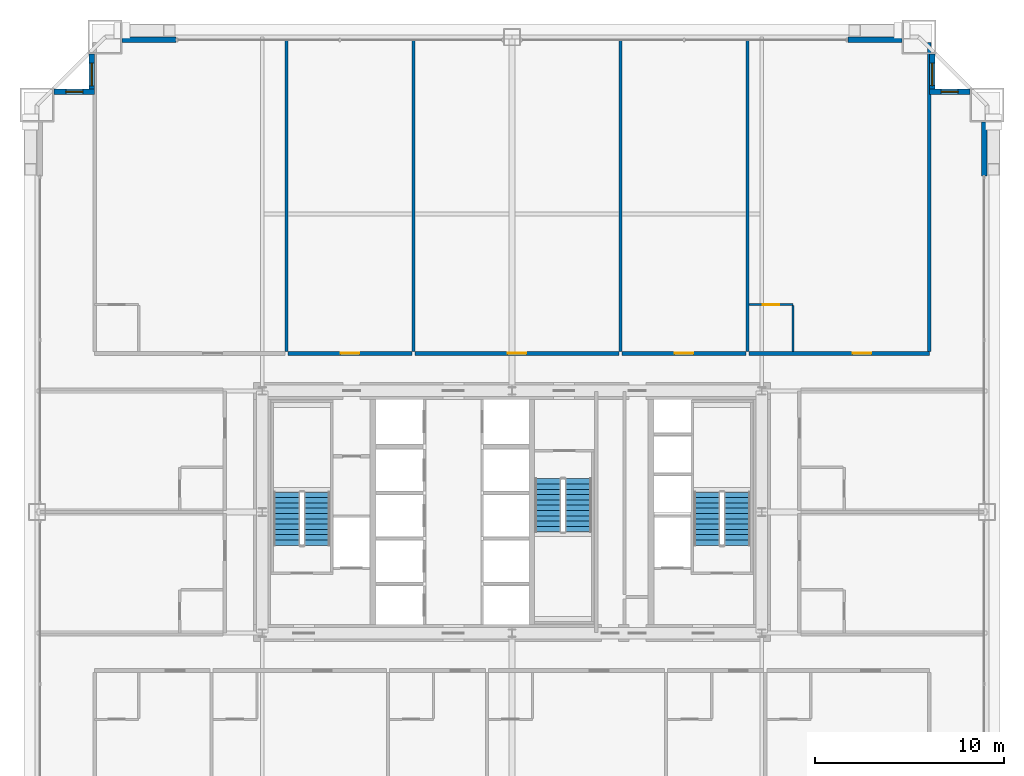
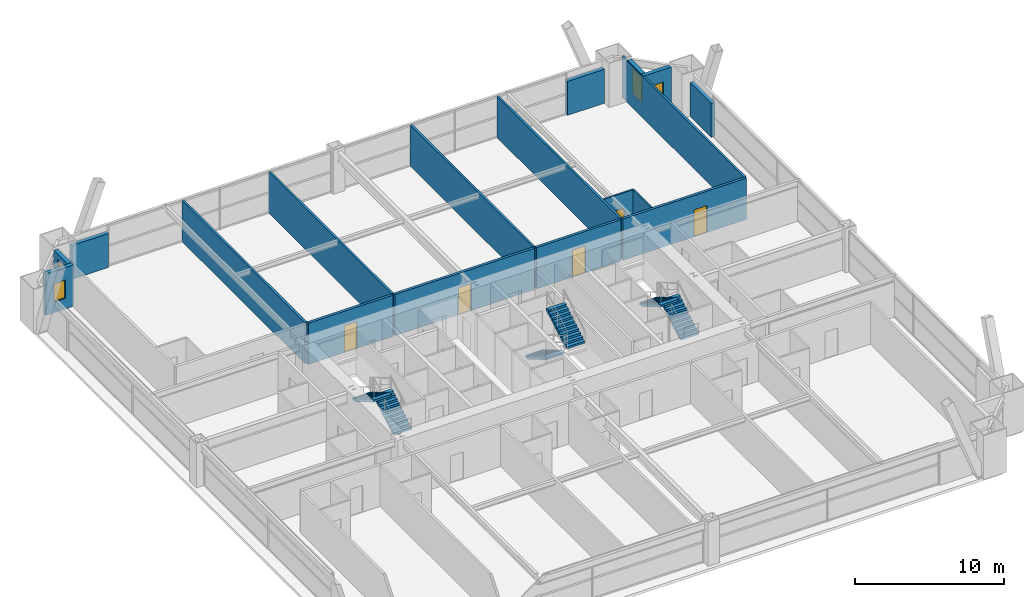
# One storey, part 42 of 43: 18 walls, 6 stair flights, 5 doors, 4 windows, 9 openings, 3 elements without a shape of their own.
"""IFC4 building model written with IfcOpenShell, lengths in metres."""

from ifc_helpers import new_model, si_unit, direction, frame, frame_2d, origin, place, context, subcontext, project, spatial, polyline, rectangle, outline, extrude, source, transform, mapped, material, layer, layer_set, type_object, element, fill, aggregate, save


model = new_model("IFC4")

# Units and contexts
model_context = context("Model", 3, precision=1e-05, world=origin(), true_north=direction((0.0, 1.0)))
body_context = subcontext(model_context, "Body", "Model", "MODEL_VIEW")
ifc_project = project(units=[si_unit("LENGTHUNIT", "METRE"), si_unit("AREAUNIT", "SQUARE_METRE"), si_unit("VOLUMEUNIT", "CUBIC_METRE"), si_unit("PLANEANGLEUNIT", "RADIAN"), si_unit("MASSUNIT", "GRAM", prefix="KILO"), si_unit("THERMODYNAMICTEMPERATUREUNIT", "KELVIN"), si_unit("POWERUNIT", "WATT")], contexts=[model_context])

# Site, building, storey
site_placement = place(None, origin())
site = spatial("IfcSite", under=ifc_project, at=site_placement, CompositionType="ELEMENT")
building_placement = place(site_placement, origin())
building = spatial("IfcBuilding", under=site, at=building_placement, Name="Yuzanri Waterfront Tower", CompositionType="ELEMENT")
storey_placement = place(building_placement, frame((0.0, 0.0, 60.39990234375)))
storey = spatial("IfcBuildingStorey", under=building, at=storey_placement, Name="L15", CompositionType="ELEMENT", Elevation=60.39990234375)

# Wall, opening, door
ifc_material_1 = material(Name="Moisture-Resistant Gypsum Stud Wall", Category="gypsum")
ifc_layer_1 = layer(ifc_material_1, 0.1201171875)
ifc_layer_set_1 = layer_set([ifc_layer_1], Name="Moisture-Resistant Gypsum Stud Wall")
wall_type_1 = type_object("IfcWallType", Name="Bathroom and Kitchen Wet Partition 120", PredefinedType="PARTITIONING", material=ifc_layer_set_1)
wall_1_placement = place(storey_placement, frame((49.52197265625, 36.760009765625, 0.0), z_axis=(0.0, 0.0, 1.0), x_axis=(1.0, 0.0, 0.0)))
wall_1 = element("IfcWall", 1, at=wall_1_placement, inside=storey, type_object=wall_type_1, Name="L15 Partition UW-L15-N5-BN", PredefinedType="PARTITIONING", context=body_context, shape_type="SweptSolid", body=[
    extrude(rectangle(XDim=2.330078125, YDim=0.1201171875, at=frame_2d((1.1650390625, 0.0))), origin(), (0.0, 0.0, 1.0), 3.380126953125),
])
opening_1_placement = place(wall_1_placement, frame((0.739990234375, 0.0, 0.0)))
opening_1 = element("IfcOpeningElement", 2, at=opening_1_placement, cuts=wall_1, Name="Opening ID-0850", PredefinedType="OPENING", context=body_context, shape_type="SweptSolid", body=[
    extrude(rectangle(XDim=0.85009765625, YDim=2.10009765625, at=frame_2d((0.425048828125, 1.050048828125))), frame((0.0, 0.074951171875, 0.0), z_axis=(0.0, -1.0, 0.0), x_axis=(1.0, 0.0, 0.0)), (0.0, 0.0, 1.0), 0.14990234375),
])
ifc_material_2 = material(Name="Moisture-Resistant Lacquered Timber", Category="wood")
door_type_1 = type_object("IfcDoorType", Name="En-Suite Bathroom and Kitchen Swing Door 850x2100", OperationType="NOTDEFINED", PredefinedType="DOOR", material=ifc_material_2)
shared_shape_1 = source(origin(), body_context, "Body", "SweptSolid", [
    extrude(rectangle(XDim=0.85009765625, YDim=2.10009765625, at=frame_2d((0.425048828125, 1.050048828125))), frame((0.0, 0.02490234375, 0.0), z_axis=(0.0, -1.0, 0.0), x_axis=(1.0, 0.0, 0.0)), (0.0, 0.0, 1.0), 0.050048828125),
])
door_1_placement = place(opening_1_placement, origin())
door_1 = element("IfcDoor", 3, at=door_1_placement, inside=storey, type_object=door_type_1, Name="L15 Guest En-Suite Door", OperationType="SINGLE_SWING_LEFT", OverallHeight=2.10009765625, OverallWidth=0.85009765625, PredefinedType="DOOR", context=body_context, shape_type="MappedRepresentation", body=[
    mapped(shared_shape_1, transform((0.0, 0.0, 0.0), scale=1.0)),
])
fill(opening_1, door_1)

# Wall, opening, window
ifc_material_3 = material(Name="Honed Chongqing Dark Basalt Stone", Category="masonry")
ifc_layer_2 = layer(ifc_material_3, 0.300048828125)
ifc_layer_set_2 = layer_set([ifc_layer_2], Name="Honed Chongqing Dark Basalt Stone")
wall_type_2 = type_object("IfcWallType", Name="Bronze Rainscreen Insulated Spandrel Portal Wall 300", PredefinedType="SOLIDWALL", material=ifc_layer_set_2)
wall_2_placement = place(storey_placement, frame((14.949951171875, 48.0, 0.0), z_axis=(0.0, 0.0, 1.0), x_axis=(-1.0, 0.0, 0.0)))
wall_2 = element("IfcWall", 4, at=wall_2_placement, inside=storey, type_object=wall_type_2, Name="L15 Notched Corner Masonry Wall NW-X", PredefinedType="SOLIDWALL", context=body_context, shape_type="SweptSolid", body=[
    extrude(rectangle(XDim=2.14990234375, YDim=0.300048828125, at=frame_2d((1.074951171875, 0.0))), origin(), (0.0, 0.0, 1.0), 3.380126953125),
])
opening_2_placement = place(wall_2_placement, frame((0.625, 0.0, 0.85009765625)))
opening_2 = element("IfcOpeningElement", 5, at=opening_2_placement, cuts=wall_2, Name="Opening WN-05", PredefinedType="OPENING", context=body_context, shape_type="SweptSolid", body=[
    extrude(rectangle(XDim=0.89990234375, YDim=1.5, at=frame_2d((0.449951171875, 0.75))), frame((0.0, 0.1650390625, 0.0), z_axis=(0.0, -1.0, 0.0), x_axis=(1.0, 0.0, 0.0)), (0.0, 0.0, 1.0), 0.329833984375),
])
ifc_material_4 = material(Name="Double-Silver Low-E Insulated Glass", Category="glass")
window_type_1 = type_object("IfcWindowType", Name="Anodized Bronze Service and Stairwell Smoke-Vent Window 900x1500", PartitioningType="SINGLE_PANEL", PredefinedType="WINDOW", material=ifc_material_4)
shared_shape_2 = source(origin(), body_context, "Body", "SweptSolid", [
    extrude(rectangle(XDim=0.89990234375, YDim=1.5, at=frame_2d((0.449951171875, 0.75))), frame((0.0, 0.030029296875, 0.0), z_axis=(0.0, -1.0, 0.0), x_axis=(1.0, 0.0, 0.0)), (0.0, 0.0, 1.0), 0.06005859375),
])
window_1_placement = place(opening_2_placement, origin())
window_1 = element("IfcWindow", 6, at=window_1_placement, inside=storey, type_object=window_type_1, Name="L15 Notched Corner Window NW-X", OverallHeight=1.5, OverallWidth=0.89990234375, PartitioningType="SINGLE_PANEL", PredefinedType="WINDOW", context=body_context, shape_type="MappedRepresentation", body=[
    mapped(shared_shape_2, transform((0.0, 0.0, 0.0), scale=1.0)),
])
fill(opening_2, window_1)

wall_3_placement = place(storey_placement, frame((14.800048828125, 50.0, 0.0), z_axis=(0.0, 0.0, 1.0), x_axis=(0.0, -1.0, 0.0)))
wall_3 = element("IfcWall", 7, at=wall_3_placement, inside=storey, type_object=wall_type_2, Name="L15 Notched Corner Masonry Wall NW-Y", PredefinedType="SOLIDWALL", context=body_context, shape_type="SweptSolid", body=[
    extrude(rectangle(XDim=2.14990234375, YDim=0.300048828125, at=frame_2d((1.074951171875, 0.0))), origin(), (0.0, 0.0, 1.0), 3.380126953125),
])
opening_3_placement = place(wall_3_placement, frame((0.47509765625, 0.0, 0.85009765625)))
opening_3 = element("IfcOpeningElement", 8, at=opening_3_placement, cuts=wall_3, Name="Opening WN-02", PredefinedType="OPENING", context=body_context, shape_type="SweptSolid", body=[
    extrude(rectangle(XDim=1.199951171875, YDim=2.10009765625, at=frame_2d((0.60009765625, 1.050048828125))), frame((0.0, 0.1650390625, 0.0), z_axis=(0.0, -1.0, 0.0), x_axis=(1.0, 0.0, 0.0)), (0.0, 0.0, 1.0), 0.329833984375),
])
ifc_material_5 = material(Name="Double-Silver Low-E Insulated Glass", Category="glass")
window_type_2 = type_object("IfcWindowType", Name="Anodized Bronze Notched Corner Deep-Set Slot Window 1200x2100", PartitioningType="SINGLE_PANEL", PredefinedType="WINDOW", material=ifc_material_5)
shared_shape_3 = source(origin(), body_context, "Body", "SweptSolid", [
    extrude(rectangle(XDim=1.199951171875, YDim=2.10009765625, at=frame_2d((0.60009765625, 1.050048828125))), frame((0.0, 0.030029296875, 0.0), z_axis=(0.0, -1.0, 0.0), x_axis=(1.0, 0.0, 0.0)), (0.0, 0.0, 1.0), 0.06005859375),
])
window_2_placement = place(opening_3_placement, origin())
window_2 = element("IfcWindow", 9, at=window_2_placement, inside=storey, type_object=window_type_2, Name="L15 Notched Corner Window NW-Y", OverallHeight=2.10009765625, OverallWidth=1.199951171875, PartitioningType="SINGLE_PANEL", PredefinedType="WINDOW", context=body_context, shape_type="MappedRepresentation", body=[
    mapped(shared_shape_3, transform((0.0, 0.0, 0.0), scale=1.0)),
])
fill(opening_3, window_2)

wall_4_placement = place(storey_placement, frame((61.199951171875, 48.0, 0.0), z_axis=(0.0, 0.0, 1.0), x_axis=(-1.0, 0.0, 0.0)))
wall_4 = element("IfcWall", 10, at=wall_4_placement, inside=storey, type_object=wall_type_2, Name="L15 Notched Corner Masonry Wall NE-X", PredefinedType="SOLIDWALL", context=body_context, shape_type="SweptSolid", body=[
    extrude(rectangle(XDim=2.14990234375, YDim=0.300048828125, at=frame_2d((1.074951171875, 0.0))), origin(), (0.0, 0.0, 1.0), 3.380126953125),
])
opening_4_placement = place(wall_4_placement, frame((0.625, 0.0, 0.85009765625)))
opening_4 = element("IfcOpeningElement", 11, at=opening_4_placement, cuts=wall_4, Name="Opening WN-05", PredefinedType="OPENING", context=body_context, shape_type="SweptSolid", body=[
    extrude(rectangle(XDim=0.89990234375, YDim=1.5, at=frame_2d((0.449951171875, 0.75))), frame((0.0, 0.1650390625, 0.0), z_axis=(0.0, -1.0, 0.0), x_axis=(1.0, 0.0, 0.0)), (0.0, 0.0, 1.0), 0.329833984375),
])
window_3_placement = place(opening_4_placement, origin())
window_3 = element("IfcWindow", 12, at=window_3_placement, inside=storey, type_object=window_type_1, Name="L15 Notched Corner Window NE-X", OverallHeight=1.5, OverallWidth=0.89990234375, PartitioningType="SINGLE_PANEL", PredefinedType="WINDOW", context=body_context, shape_type="MappedRepresentation", body=[
    mapped(shared_shape_2, transform((0.0, 0.0, 0.0), scale=1.0)),
])
fill(opening_4, window_3)

wall_5_placement = place(storey_placement, frame((59.199951171875, 47.85009765625, 0.0), z_axis=(0.0, 0.0, 1.0), x_axis=(0.0, 1.0, 0.0)))
wall_5 = element("IfcWall", 13, at=wall_5_placement, inside=storey, type_object=wall_type_2, Name="L15 Notched Corner Masonry Wall NE-Y", PredefinedType="SOLIDWALL", context=body_context, shape_type="SweptSolid", body=[
    extrude(rectangle(XDim=2.14990234375, YDim=0.300048828125, at=frame_2d((1.074951171875, 0.0))), origin(), (0.0, 0.0, 1.0), 3.380126953125),
])
opening_5_placement = place(wall_5_placement, frame((0.47509765625, 0.0, 0.85009765625)))
opening_5 = element("IfcOpeningElement", 14, at=opening_5_placement, cuts=wall_5, Name="Opening WN-02", PredefinedType="OPENING", context=body_context, shape_type="SweptSolid", body=[
    extrude(rectangle(XDim=1.199951171875, YDim=2.10009765625, at=frame_2d((0.60009765625, 1.050048828125))), frame((0.0, 0.1650390625, 0.0), z_axis=(0.0, -1.0, 0.0), x_axis=(1.0, 0.0, 0.0)), (0.0, 0.0, 1.0), 0.329833984375),
])
window_4_placement = place(opening_5_placement, origin())
window_4 = element("IfcWindow", 15, at=window_4_placement, inside=storey, type_object=window_type_2, Name="L15 Notched Corner Window NE-Y", OverallHeight=2.10009765625, OverallWidth=1.199951171875, PartitioningType="SINGLE_PANEL", PredefinedType="WINDOW", context=body_context, shape_type="MappedRepresentation", body=[
    mapped(shared_shape_3, transform((0.0, 0.0, 0.0), scale=1.0)),
])
fill(opening_5, window_4)

# Wall, opening, door
ifc_material_6 = material(Name="Autoclaved Aerated Concrete Blockwork", Category="masonry")
ifc_layer_3 = layer(ifc_material_6, 0.199951171875)
ifc_layer_set_3 = layer_set([ifc_layer_3], Name="Autoclaved Aerated Concrete Blockwork")
wall_type_3 = type_object("IfcWallType", Name="Corridor and Unit Party Fire Wall 200", PredefinedType="PARTITIONING", material=ifc_layer_set_3)
wall_6_placement = place(storey_placement, frame((25.16796875, 34.179931640625, 0.0), z_axis=(0.0, 0.0, 1.0), x_axis=(1.0, 0.0, 0.0)))
wall_6 = element("IfcWall", 16, at=wall_6_placement, inside=storey, type_object=wall_type_3, Name="L15 Partition UW-L15-N2-CS", PredefinedType="PARTITIONING", context=body_context, shape_type="SweptSolid", body=[
    extrude(rectangle(XDim=6.546142578125, YDim=0.199951171875, at=frame_2d((3.27294921875, 0.0))), origin(), (0.0, 0.0, 1.0), 3.380126953125),
])
opening_6_placement = place(wall_6_placement, frame((2.77294921875, 0.0, 0.0)))
opening_6 = element("IfcOpeningElement", 17, at=opening_6_placement, cuts=wall_6, Name="Opening FD-1000", PredefinedType="OPENING", context=body_context, shape_type="SweptSolid", body=[
    extrude(rectangle(XDim=1.0, YDim=2.199951171875, at=frame_2d((0.5, 1.10009765625))), frame((0.0, 0.11474609375, 0.0), z_axis=(0.0, -1.0, 0.0), x_axis=(1.0, 0.0, 0.0)), (0.0, 0.0, 1.0), 0.229736328125),
])
ifc_material_7 = material(Name="Engineered Oak Fire-Rated Timber", Category="wood")
door_type_2 = type_object("IfcDoorType", Name="Guestroom and Apartment Entrance Fire Door 1000x2200", OperationType="NOTDEFINED", PredefinedType="DOOR", material=ifc_material_7)
shared_shape_4 = source(origin(), body_context, "Body", "SweptSolid", [
    extrude(rectangle(XDim=1.0, YDim=2.199951171875, at=frame_2d((0.5, 1.10009765625))), frame((0.0, 0.02490234375, 0.0), z_axis=(0.0, -1.0, 0.0), x_axis=(1.0, 0.0, 0.0)), (0.0, 0.0, 1.0), 0.050048828125),
])
door_2_placement = place(opening_6_placement, origin())
door_2 = element("IfcDoor", 18, at=door_2_placement, inside=storey, type_object=door_type_2, Name="L15 Executive Office 1 Entrance Door", OperationType="SINGLE_SWING_LEFT", OverallHeight=2.199951171875, OverallWidth=1.0, PredefinedType="DOOR", context=body_context, shape_type="MappedRepresentation", body=[
    mapped(shared_shape_4, transform((0.0, 0.0, 0.0), scale=1.0)),
])
fill(opening_6, door_2)

wall_7_placement = place(storey_placement, frame((31.8740234375, 34.179931640625, 0.0), z_axis=(0.0, 0.0, 1.0), x_axis=(1.0, 0.0, 0.0)))
wall_7 = element("IfcWall", 19, at=wall_7_placement, inside=storey, type_object=wall_type_3, Name="L15 Partition UW-L15-N3-CS", PredefinedType="PARTITIONING", context=body_context, shape_type="SweptSolid", body=[
    extrude(rectangle(XDim=10.781982421875, YDim=0.199951171875, at=frame_2d((5.39111328125, 0.0))), origin(), (0.0, 0.0, 1.0), 3.380126953125),
])
opening_7_placement = place(wall_7_placement, frame((4.89111328125, 0.0, 0.0)))
opening_7 = element("IfcOpeningElement", 20, at=opening_7_placement, cuts=wall_7, Name="Opening FD-1000", PredefinedType="OPENING", context=body_context, shape_type="SweptSolid", body=[
    extrude(rectangle(XDim=1.0, YDim=2.199951171875, at=frame_2d((0.5, 1.10009765625))), frame((0.0, 0.11474609375, 0.0), z_axis=(0.0, -1.0, 0.0), x_axis=(1.0, 0.0, 0.0)), (0.0, 0.0, 1.0), 0.229736328125),
])
door_3_placement = place(opening_7_placement, origin())
door_3 = element("IfcDoor", 21, at=door_3_placement, inside=storey, type_object=door_type_2, Name="L15 Executive Office 2 Entrance Door", OperationType="SINGLE_SWING_RIGHT", OverallHeight=2.199951171875, OverallWidth=1.0, PredefinedType="DOOR", context=body_context, shape_type="MappedRepresentation", body=[
    mapped(shared_shape_4, transform((0.0, 0.0, 0.0), scale=1.0)),
])
fill(opening_7, door_3)

wall_8_placement = place(storey_placement, frame((42.81591796875, 34.179931640625, 0.0), z_axis=(0.0, 0.0, 1.0), x_axis=(1.0, 0.0, 0.0)))
wall_8 = element("IfcWall", 22, at=wall_8_placement, inside=storey, type_object=wall_type_3, Name="L15 Partition UW-L15-N4-CS", PredefinedType="PARTITIONING", context=body_context, shape_type="SweptSolid", body=[
    extrude(rectangle(XDim=6.546142578125, YDim=0.199951171875, at=frame_2d((3.27294921875, 0.0))), origin(), (0.0, 0.0, 1.0), 3.380126953125),
])
opening_8_placement = place(wall_8_placement, frame((2.77294921875, 0.0, 0.0)))
opening_8 = element("IfcOpeningElement", 23, at=opening_8_placement, cuts=wall_8, Name="Opening FD-1000", PredefinedType="OPENING", context=body_context, shape_type="SweptSolid", body=[
    extrude(rectangle(XDim=1.0, YDim=2.199951171875, at=frame_2d((0.5, 1.10009765625))), frame((0.0, 0.11474609375, 0.0), z_axis=(0.0, -1.0, 0.0), x_axis=(1.0, 0.0, 0.0)), (0.0, 0.0, 1.0), 0.229736328125),
])
door_4_placement = place(opening_8_placement, origin())
door_4 = element("IfcDoor", 24, at=door_4_placement, inside=storey, type_object=door_type_2, Name="L15 Executive Office 3 Entrance Door", OperationType="SINGLE_SWING_LEFT", OverallHeight=2.199951171875, OverallWidth=1.0, PredefinedType="DOOR", context=body_context, shape_type="MappedRepresentation", body=[
    mapped(shared_shape_4, transform((0.0, 0.0, 0.0), scale=1.0)),
])
fill(opening_8, door_4)

wall_9_placement = place(storey_placement, frame((49.52197265625, 34.179931640625, 0.0), z_axis=(0.0, 0.0, 1.0), x_axis=(1.0, 0.0, 0.0)))
wall_9 = element("IfcWall", 25, at=wall_9_placement, inside=storey, type_object=wall_type_3, Name="L15 Partition UW-L15-N5-CS", PredefinedType="PARTITIONING", context=body_context, shape_type="SweptSolid", body=[
    extrude(rectangle(XDim=9.5380859375, YDim=0.199951171875, at=frame_2d((4.76904296875, 0.0))), origin(), (0.0, 0.0, 1.0), 3.380126953125),
])
opening_9_placement = place(wall_9_placement, frame((5.47412109375, 0.0, 0.0)))
opening_9 = element("IfcOpeningElement", 26, at=opening_9_placement, cuts=wall_9, Name="Opening FD-1000", PredefinedType="OPENING", context=body_context, shape_type="SweptSolid", body=[
    extrude(rectangle(XDim=1.0, YDim=2.199951171875, at=frame_2d((0.5, 1.10009765625))), frame((0.0, 0.11474609375, 0.0), z_axis=(0.0, -1.0, 0.0), x_axis=(1.0, 0.0, 0.0)), (0.0, 0.0, 1.0), 0.229736328125),
])
door_5_placement = place(opening_9_placement, origin())
door_5 = element("IfcDoor", 27, at=door_5_placement, inside=storey, type_object=door_type_2, Name="L15 Diplomatic Suite Entrance Door", OperationType="SINGLE_SWING_RIGHT", OverallHeight=2.199951171875, OverallWidth=1.0, PredefinedType="DOOR", context=body_context, shape_type="MappedRepresentation", body=[
    mapped(shared_shape_4, transform((0.0, 0.0, 0.0), scale=1.0)),
])
fill(opening_9, door_5)

# Walls
shared_shape_5 = source(origin(), body_context, "Body", "SweptSolid", [
    extrude(rectangle(XDim=2.85009765625, YDim=0.300048828125, at=frame_2d((1.425048828125, 0.0))), origin(), (0.0, 0.0, 1.0), 2.775146484375),
])
for number, where, z_axis, x_axis, name in (
    (28, (16.39990234375, 50.75, 0.0), (0.0, 0.0, 1.0), (1.0, 0.0, 0.0), "L15 N Left Braced Masonry Shoulder"),
    (29, (54.75, 50.75, 0.0), (0.0, 0.0, 1.0), (1.0, 0.0, 0.0), "L15 N Right Braced Masonry Shoulder"),
):
    element("IfcWall", number, at=place(storey_placement, frame(where, z_axis=z_axis, x_axis=x_axis)), inside=storey, type_object=wall_type_2, Name=name, PredefinedType="SOLIDWALL", context=body_context, shape_type="MappedRepresentation", body=[
        mapped(shared_shape_5, transform((0.0, 0.0, 0.0), scale=1.0)),
    ])
shared_shape_6 = source(origin(), body_context, "Body", "SweptSolid", [
    extrude(rectangle(XDim=2.849853515625, YDim=0.300048828125, at=frame_2d((1.4248046875, 0.0))), origin(), (0.0, 0.0, 1.0), 2.775146484375),
])
wall_10_placement = place(storey_placement, frame((61.949951171875, 43.550048828125, 0.0), z_axis=(0.0, 0.0, 1.0), x_axis=(0.0, 1.0, 0.0)))
element("IfcWall", 30, at=wall_10_placement, inside=storey, type_object=wall_type_2, Name="L15 E Right Braced Masonry Shoulder", PredefinedType="SOLIDWALL", context=body_context, shape_type="MappedRepresentation", body=[
    mapped(shared_shape_6, transform((0.0, 0.0, 0.0), scale=1.0)),
])
ifc_material_8 = material(Name="Gypsum Fireboard Acoustic Stud Wall", Category="gypsum")
ifc_layer_4 = layer(ifc_material_8, 0.159912109375)
ifc_layer_set_4 = layer_set([ifc_layer_4], Name="Gypsum Fireboard Acoustic Stud Wall")
wall_type_4 = type_object("IfcWallType", Name="Acoustic Suite Demising Partition 160", PredefinedType="PARTITIONING", material=ifc_layer_set_4)
shared_shape_7 = source(origin(), body_context, "Body", "SweptSolid", [
    extrude(rectangle(XDim=16.469970703125, YDim=0.159912109375, at=frame_2d((8.23486328125, 0.0))), origin(), (0.0, 0.0, 1.0), 3.380126953125),
])
for number, where, z_axis, x_axis, name in (
    (31, (25.087890625, 34.280029296875, 0.0), (0.0, 0.0, 1.0), (0.0, 1.0, 0.0), "L15-N1 Party Wall"),
    (32, (31.7939453125, 34.280029296875, 0.0), (0.0, 0.0, 1.0), (0.0, 1.0, 0.0), "L15-N2 Party Wall"),
    (33, (42.736083984375, 34.280029296875, 0.0), (0.0, 0.0, 1.0), (0.0, 1.0, 0.0), "L15-N3 Party Wall"),
    (34, (49.44189453125, 34.280029296875, 0.0), (0.0, 0.0, 1.0), (0.0, 1.0, 0.0), "L15-N4 Party Wall"),
):
    element("IfcWall", number, at=place(storey_placement, frame(where, z_axis=z_axis, x_axis=x_axis)), inside=storey, type_object=wall_type_4, Name=name, PredefinedType="PARTITIONING", context=body_context, shape_type="MappedRepresentation", body=[
        mapped(shared_shape_7, transform((0.0, 0.0, 0.0), scale=1.0)),
    ])
shared_shape_8 = source(origin(), body_context, "Body", "SweptSolid", [
    extrude(rectangle(XDim=16.320068359375, YDim=0.159912109375, at=frame_2d((8.16015625, 0.0))), origin(), (0.0, 0.0, 1.0), 3.380126953125),
])
wall_11_placement = place(storey_placement, frame((59.050048828125, 34.280029296875, 0.0), z_axis=(0.0, 0.0, 1.0), x_axis=(0.0, 1.0, 0.0)))
element("IfcWall", 35, at=wall_11_placement, inside=storey, type_object=wall_type_4, Name="L15 North Band East End Wall", PredefinedType="PARTITIONING", context=body_context, shape_type="MappedRepresentation", body=[
    mapped(shared_shape_8, transform((0.0, 0.0, 0.0), scale=1.0)),
])
shared_shape_9 = source(origin(), body_context, "Body", "SweptSolid", [
    extrude(rectangle(XDim=2.419921875, YDim=0.1201171875, at=frame_2d((1.2099609375, 0.0))), origin(), (0.0, 0.0, 1.0), 3.380126953125),
])
wall_12_placement = place(storey_placement, frame((51.85205078125, 34.280029296875, 0.0), z_axis=(0.0, 0.0, 1.0), x_axis=(0.0, 1.0, 0.0)))
element("IfcWall", 36, at=wall_12_placement, inside=storey, type_object=wall_type_1, Name="L15-N5 En-Suite Side Wall", PredefinedType="PARTITIONING", context=body_context, shape_type="MappedRepresentation", body=[
    mapped(shared_shape_9, transform((0.0, 0.0, 0.0), scale=1.0)),
])

# Stair, stair flights
ifc_material_9 = material(Name="Concrete C40", Category="concrete")
stair_type = type_object("IfcStairType", Name="Concrete C40 Core Dogleg Exit Stair", PredefinedType="HALF_TURN_STAIR", material=ifc_material_9)
stair_1_placement = place(storey_placement, origin())
stair_1 = element("IfcStair", 37, at=stair_1_placement, inside=storey, type_object=stair_type, Name="L15 Smoke-Proof Core Stair ST-01", PredefinedType="HALF_TURN_STAIR")
ifc_material_10 = material(Name="Concrete C40", Category="concrete")
stair_flight_type = type_object("IfcStairFlightType", Name="Concrete C40 Precast Stair Flight 1380", PredefinedType="STRAIGHT", material=ifc_material_10)
shared_shape_10 = source(origin(), body_context, "Body", "SweptSolid", [
    extrude(outline(polyline([(0.0, 0.0), (0.0, 0.16357421875), (0.280029296875, 0.16357421875), (0.280029296875, 0.327392578125), (0.56005859375, 0.327392578125), (0.56005859375, 0.490966796875), (0.840087890625, 0.490966796875), (0.840087890625, 0.654541015625), (1.1201171875, 0.654541015625), (1.1201171875, 0.818115234375), (1.39990234375, 0.818115234375), (1.39990234375, 0.98193359375), (1.679931640625, 0.98193359375), (1.679931640625, 1.1455078125), (1.9599609375, 1.1455078125), (1.9599609375, 1.30908203125), (2.239990234375, 1.30908203125), (2.239990234375, 1.47265625), (2.52001953125, 1.47265625), (2.52001953125, 1.636474609375), (2.800048828125, 1.636474609375), (2.800048828125, 1.800048828125), (2.800048828125, 1.462646484375), (0.297119140625, 0.0), (0.0, 0.0)])), frame((0.0, 0.699951171875, 0.0), z_axis=(0.0, -1.0, 0.0), x_axis=(1.0, 0.0, 0.0)), (0.0, 0.0, 1.0), 1.39990234375),
])
stair_flight_1_placement = place(storey_placement, frame((26.699951171875, 24.0400390625, 0.0), z_axis=(0.0, 0.0, 1.0), x_axis=(0.0, 1.0, 0.0)))
stair_flight_1 = element("IfcStairFlight", 38, at=stair_flight_1_placement, type_object=stair_flight_type, Name="ST-01 flight 1", NumberOfRisers=11, NumberOfTreads=10, PredefinedType="STRAIGHT", RiserHeight=0.163636364, TreadLength=0.28, context=body_context, shape_type="MappedRepresentation", body=[
    mapped(shared_shape_10, transform((0.0, 0.0, 0.0), scale=1.0)),
])
stair_flight_2_placement = place(storey_placement, frame((25.10009765625, 26.840087890625, 1.800048828125), z_axis=(0.0, 0.0, 1.0), x_axis=(0.0, -1.0, 0.0)))
stair_flight_2 = element("IfcStairFlight", 39, at=stair_flight_2_placement, type_object=stair_flight_type, Name="ST-01 flight 2", NumberOfRisers=11, NumberOfTreads=10, PredefinedType="STRAIGHT", RiserHeight=0.163636364, TreadLength=0.28, context=body_context, shape_type="MappedRepresentation", body=[
    mapped(shared_shape_10, transform((0.0, 0.0, 0.0), scale=1.0)),
])
aggregate(stair_1, [stair_flight_1, stair_flight_2])

stair_2_placement = place(storey_placement, origin())
stair_2 = element("IfcStair", 40, at=stair_2_placement, inside=storey, type_object=stair_type, Name="L15 Smoke-Proof Core Stair ST-02", PredefinedType="HALF_TURN_STAIR")
stair_flight_3_placement = place(storey_placement, frame((48.89990234375, 24.0400390625, 0.0), z_axis=(0.0, 0.0, 1.0), x_axis=(0.0, 1.0, 0.0)))
stair_flight_3 = element("IfcStairFlight", 41, at=stair_flight_3_placement, type_object=stair_flight_type, Name="ST-02 flight 1", NumberOfRisers=11, NumberOfTreads=10, PredefinedType="STRAIGHT", RiserHeight=0.163636364, TreadLength=0.28, context=body_context, shape_type="MappedRepresentation", body=[
    mapped(shared_shape_10, transform((0.0, 0.0, 0.0), scale=1.0)),
])
stair_flight_4_placement = place(storey_placement, frame((47.300048828125, 26.840087890625, 1.800048828125), z_axis=(0.0, 0.0, 1.0), x_axis=(0.0, -1.0, 0.0)))
stair_flight_4 = element("IfcStairFlight", 42, at=stair_flight_4_placement, type_object=stair_flight_type, Name="ST-02 flight 2", NumberOfRisers=11, NumberOfTreads=10, PredefinedType="STRAIGHT", RiserHeight=0.163636364, TreadLength=0.28, context=body_context, shape_type="MappedRepresentation", body=[
    mapped(shared_shape_10, transform((0.0, 0.0, 0.0), scale=1.0)),
])
aggregate(stair_2, [stair_flight_3, stair_flight_4])

stair_3_placement = place(storey_placement, origin())
stair_3 = element("IfcStair", 43, at=stair_3_placement, inside=storey, type_object=stair_type, Name="L15 Smoke-Proof Core Stair ST-03", PredefinedType="HALF_TURN_STAIR")
stair_flight_5_placement = place(storey_placement, frame((38.89990234375, 27.56005859375, 0.0), z_axis=(0.0, 0.0, 1.0), x_axis=(0.0, -1.0, 0.0)))
stair_flight_5 = element("IfcStairFlight", 44, at=stair_flight_5_placement, type_object=stair_flight_type, Name="ST-03 flight 1", NumberOfRisers=11, NumberOfTreads=10, PredefinedType="STRAIGHT", RiserHeight=0.163636364, TreadLength=0.28, context=body_context, shape_type="MappedRepresentation", body=[
    mapped(shared_shape_10, transform((0.0, 0.0, 0.0), scale=1.0)),
])
stair_flight_6_placement = place(storey_placement, frame((40.5, 24.760009765625, 1.800048828125), z_axis=(0.0, 0.0, 1.0), x_axis=(0.0, 1.0, 0.0)))
stair_flight_6 = element("IfcStairFlight", 45, at=stair_flight_6_placement, type_object=stair_flight_type, Name="ST-03 flight 2", NumberOfRisers=11, NumberOfTreads=10, PredefinedType="STRAIGHT", RiserHeight=0.163636364, TreadLength=0.28, context=body_context, shape_type="MappedRepresentation", body=[
    mapped(shared_shape_10, transform((0.0, 0.0, 0.0), scale=1.0)),
])
aggregate(stair_3, [stair_flight_5, stair_flight_6])

save(model, "model.ifc")
